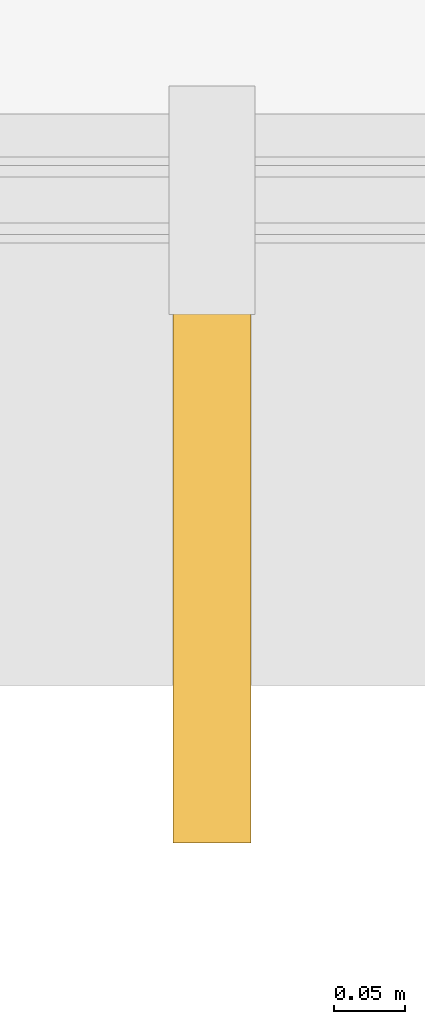
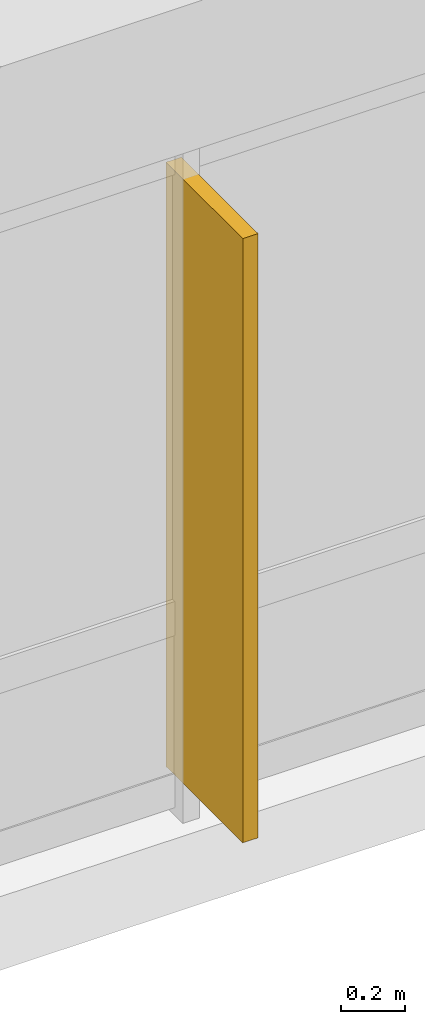
# One storey, part 70 of 74: 1 shading device.
"""IFC4 building model written with IfcOpenShell, lengths in metres."""

from ifc_helpers import new_model, si_unit, direction, frame, frame_2d, origin, place, context, subcontext, project, spatial, rectangle, extrude, material, layer, layer_set, type_object, element, save


model = new_model("IFC4")

# Units and contexts
model_context = context("Model", 3, precision=1e-05, world=origin(), true_north=direction((0.0, 1.0)))
body_context = subcontext(model_context, "Body", "Model", "MODEL_VIEW")
ifc_project = project(units=[si_unit("LENGTHUNIT", "METRE"), si_unit("AREAUNIT", "SQUARE_METRE"), si_unit("VOLUMEUNIT", "CUBIC_METRE"), si_unit("PLANEANGLEUNIT", "RADIAN"), si_unit("MASSUNIT", "GRAM", prefix="KILO")], contexts=[model_context])

# Site, building, storey
site_placement = place(None, origin())
site = spatial("IfcSite", under=ifc_project, at=site_placement, CompositionType="ELEMENT")
building_placement = place(site_placement, origin())
building = spatial("IfcBuilding", under=site, at=building_placement, Name="Clarverna Civic Hall", CompositionType="ELEMENT")
storey_placement = place(building_placement, frame((0.0, 0.0, 9.60009765625)))
storey = spatial("IfcBuildingStorey", under=building, at=storey_placement, Name="L02", CompositionType="ELEMENT", Elevation=9.60009765625)

# Shading device
ifc_material = material(Name="Anodised Bronze Architectural Solar Fin", Category="aluminium")
ifc_layer = layer(ifc_material, 0.054931640625)
ifc_layer_set = layer_set([ifc_layer], Name="Anodised Bronze Architectural Solar Fin")
shading_device_type = type_object("IfcShadingDeviceType", Name="SD-FN1", PredefinedType="USERDEFINED", material=ifc_layer_set)
shading_device_placement = place(storey_placement, frame((127.042236328125, 95.169921875, 0.14990234375), z_axis=(0.0, 0.0, 1.0), x_axis=(0.0, -1.0, 0.0)))
element("IfcShadingDevice", 1, at=shading_device_placement, inside=storey, type_object=shading_device_type, Name="SD-FN1-026", ObjectType="FIN", PredefinedType="USERDEFINED", context=body_context, shape_type="SweptSolid", body=[
    extrude(rectangle(XDim=0.47998046875, YDim=0.054931640625, at=frame_2d((0.239990234375, 0.0))), origin(), (0.0, 0.0, 1.0), 2.300048828125),
])

save(model, "model.ifc")
